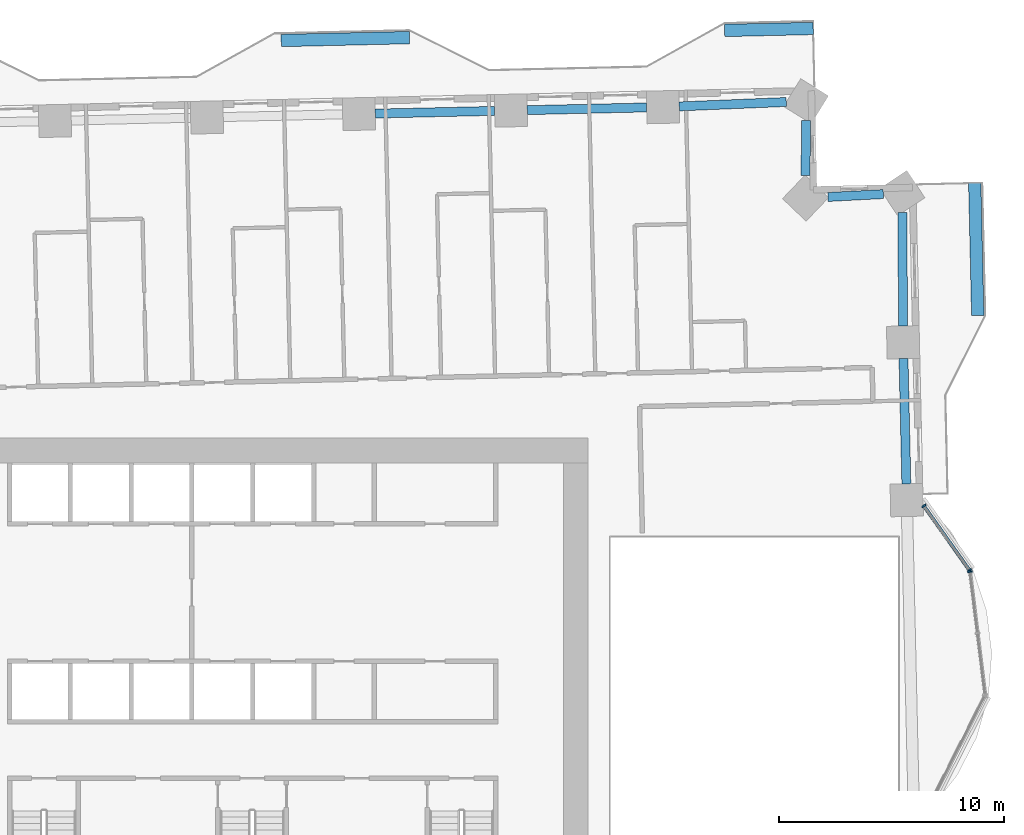
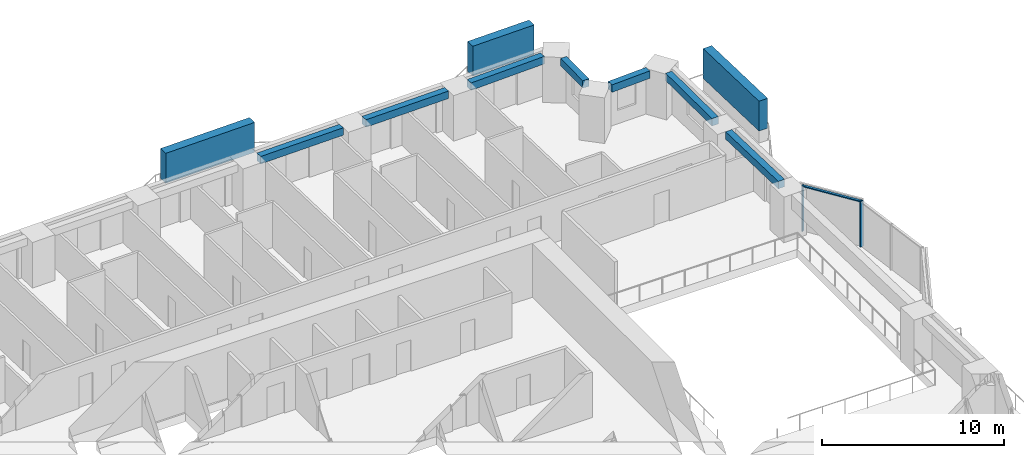
# One storey, part 4 of 17: 7 beams, 7 members, 2 elements without a shape of their own.
"""IFC4 building model written with IfcOpenShell, lengths in metres."""

import ifcopenshell
import ifcopenshell.guid

model = None  # the IFC model being written
_history = None  # IfcOwnerHistory: only IFC2X3 demands one
_inside = {}  # id of a spatial element -> (the spatial element, [elements in it])
_under = {}  # id of a project, library or spatial element -> (it, [spatial elements below it])
_declared = {}  # id of a project -> (the project, [libraries it declares])
_typed = {}  # id of a type object -> (the type object, [elements of that type])
_made_of = {}  # id of a material, layer set ... -> (it, [elements and type objects made of it])


def new_model(schema):
    """Start an empty IFC model of exactly this schema.

    Asked for "IFC4X3", IfcOpenShell would pick the latest addendum, in which some entities
    have other attributes; the version numbers below select the first issue.
    IFC2X3 requires an IfcOwnerHistory on every rooted entity: one is made here for all.
    """
    global model, _history
    if schema == "IFC4X3":
        model = ifcopenshell.file(schema_version=(4, 3, 0, 0))
    else:
        model = ifcopenshell.file(schema=schema)
    _inside.clear()
    _under.clear()
    _declared.clear()
    _typed.clear()
    _made_of.clear()
    _history = None
    if model.schema == "IFC2X3":
        org = make("IfcOrganization", Name="unknown")
        user = make(
            "IfcPersonAndOrganization",
            ThePerson=make("IfcPerson", FamilyName="unknown"),
            TheOrganization=org,
        )
        app = make(
            "IfcApplication",
            ApplicationDeveloper=org,
            Version="unknown",
            ApplicationFullName="unknown",
            ApplicationIdentifier="unknown",
        )
        _history = make(
            "IfcOwnerHistory",
            OwningUser=user,
            OwningApplication=app,
            ChangeAction="ADDED",
            CreationDate=0,
        )
    return model


def make(cls, **values):
    """One entity of the class cls with the attributes given. An attribute that is None is left unset."""
    return model.create_entity(
        cls, **{name: value for name, value in values.items() if value is not None}
    )


def rooted(cls, **values):
    """An entity with a GlobalId (a new one), such as an element, a storey or a relation."""
    return make(cls, GlobalId=ifcopenshell.guid.new(), OwnerHistory=_history, **values)


def si_unit(unit_type, name, prefix=None):
    """IfcSIUnit, for example si_unit("LENGTHUNIT", "METRE", prefix="MILLI")."""
    return make("IfcSIUnit", UnitType=unit_type, Prefix=prefix, Name=name)


def assignment(units):
    """IfcUnitAssignment: the units of a project."""
    return None if units is None else make("IfcUnitAssignment", Units=units)


def point(xyz):
    """IfcCartesianPoint."""
    return None if xyz is None else make("IfcCartesianPoint", Coordinates=xyz)


def direction(xyz):
    """IfcDirection."""
    return None if xyz is None else make("IfcDirection", DirectionRatios=xyz)


def frame(location, z_axis=None, x_axis=None):
    """IfcAxis2Placement3D, a coordinate frame: its origin and axes. An axis left out is left unset."""
    return make(
        "IfcAxis2Placement3D",
        Location=point(location),
        Axis=direction(z_axis),
        RefDirection=direction(x_axis),
    )


def frame_2d(location, x_axis=None):
    """IfcAxis2Placement2D, a coordinate frame in the plane: its origin and x axis."""
    return make(
        "IfcAxis2Placement2D", Location=point(location), RefDirection=direction(x_axis)
    )


def origin():
    """The frame at (0, 0, 0) with its axes left unset."""
    return frame((0.0, 0.0, 0.0))


def origin_2d():
    """The frame at (0, 0) in the plane with its x axis left unset."""
    return frame_2d((0.0, 0.0))


def place(relative_to, where):
    """IfcLocalPlacement: puts the frame where relative to a parent placement (None: the world)."""
    return make(
        "IfcLocalPlacement", PlacementRelTo=relative_to, RelativePlacement=where
    )


def context(
    kind, dimensions, precision=None, world=None, true_north=None, identifier=None
):
    """IfcGeometricRepresentationContext, for example the 3D "Model" context."""
    return make(
        "IfcGeometricRepresentationContext",
        ContextIdentifier=identifier,
        ContextType=kind,
        CoordinateSpaceDimension=dimensions,
        Precision=precision,
        WorldCoordinateSystem=world,
        TrueNorth=true_north,
    )


def subcontext(parent, identifier, kind, view, scale=None):
    """IfcGeometricRepresentationSubContext, for example "Body" below "Model"."""
    return make(
        "IfcGeometricRepresentationSubContext",
        ContextIdentifier=identifier,
        ContextType=kind,
        ParentContext=parent,
        TargetScale=scale,
        TargetView=view,
    )


def project(units=None, contexts=None):
    """IfcProject with its units and contexts."""
    return rooted(
        "IfcProject",
        Name="project",
        RepresentationContexts=contexts,
        UnitsInContext=assignment(units),
    )


def spatial(cls, under=None, at=None, **own):
    """A site, building, storey or space (cls), placed at a placement, below another one or the project."""
    s = rooted(cls, ObjectPlacement=at, **own)
    if under is not None:
        _under.setdefault(under.id(), (under, []))[1].append(s)
    return s


def profile(cls, at=None, kind="AREA", **sizes):
    """A parametric profile (cls). Its sizes go by their IFC names, for example OverallWidth=200.0."""
    return make(cls, ProfileType=kind, Position=at, **sizes)


def rectangle(**sizes):
    """IfcRectangleProfileDef."""
    return profile("IfcRectangleProfileDef", **sizes)


def extrude(swept, where, along, depth):
    """IfcExtrudedAreaSolid: the profile swept, set in the frame where, extruded along a direction by depth."""
    return make(
        "IfcExtrudedAreaSolid",
        SweptArea=swept,
        Position=where,
        ExtrudedDirection=direction(along),
        Depth=depth,
    )


def shape(context_of_items, identifier, shape_type, items):
    """IfcShapeRepresentation: the items that make up one representation, for example the "Body"."""
    return make(
        "IfcShapeRepresentation",
        ContextOfItems=context_of_items,
        RepresentationIdentifier=identifier,
        RepresentationType=shape_type,
        Items=items,
    )


def material(Name=None, Category=None):
    """IfcMaterial."""
    return make("IfcMaterial", Name=Name, Category=Category)


def material_profile(
    of_material, cross_section, Name=None, Category=None, Priority=None
):
    """IfcMaterialProfile: a cross section and its material."""
    return make(
        "IfcMaterialProfile",
        Name=Name,
        Material=of_material,
        Profile=cross_section,
        Priority=Priority,
        Category=Category,
    )


def profile_set(profiles, Name=None, composite=None):
    """IfcMaterialProfileSet."""
    return make(
        "IfcMaterialProfileSet",
        Name=Name,
        MaterialProfiles=profiles,
        CompositeProfile=composite,
    )


def made_of(thing, what):
    """Note that an element or type object is made of a material, layer set ...; save() writes the relation."""
    if what is not None:
        _made_of.setdefault(what.id(), (what, []))[1].append(thing)
    return thing


def type_object(cls, material=None, **own):
    """A type object (cls), such as IfcWallType, which elements share."""
    return made_of(rooted(cls, **own), material)


def element(
    cls,
    number,
    at=None,
    inside=None,
    cuts=None,
    type_object=None,
    material=None,
    context=None,
    identifier="Body",
    shape_type=None,
    held_by="IfcProductDefinitionShape",
    body=None,
    shapes=None,
    **own,
):
    """One element of the class cls, such as IfcWall. Its Tag is "e" and its number.

    at: its placement. inside: the storey or other place that contains it. cuts: it is an
    opening in that element (IfcRelVoidsElement). A single representation is given by context,
    identifier, shape_type and body (its items); several are given by shapes. held_by: the class
    of the entity that holds the representations. save() writes the other relations.
    """
    e = rooted(cls, Tag="e%d" % number, ObjectPlacement=at, **own)
    if body is not None:
        shapes = [shape(context, identifier, shape_type, body)]
    if shapes is not None:
        e.Representation = make(held_by, Representations=shapes)
    if inside is not None:
        _inside.setdefault(inside.id(), (inside, []))[1].append(e)
    if cuts is not None:
        rooted(
            "IfcRelVoidsElement", RelatingBuildingElement=cuts, RelatedOpeningElement=e
        )
    if type_object is not None:
        _typed.setdefault(type_object.id(), (type_object, []))[1].append(e)
    return made_of(e, material)


def aggregate(whole, parts):
    """IfcRelAggregates: a whole, such as a stair, and the parts it consists of."""
    return rooted("IfcRelAggregates", RelatingObject=whole, RelatedObjects=parts)


def save(model, path):
    """Write the relations noted so far, then the file.

    IfcRelAggregates (storeys below a building ...), IfcRelContainedInSpatialStructure (elements
    in a storey), IfcRelDefinesByType, IfcRelAssociatesMaterial and IfcRelDeclares: one each for
    every whole, place, type object, material and project.
    """
    for whole, parts in _under.values():
        aggregate(whole, parts)
    for where, things in _inside.values():
        rooted(
            "IfcRelContainedInSpatialStructure",
            RelatedElements=things,
            RelatingStructure=where,
        )
    for kind, things in _typed.values():
        rooted("IfcRelDefinesByType", RelatedObjects=things, RelatingType=kind)
    for what, things in _made_of.values():
        rooted("IfcRelAssociatesMaterial", RelatedObjects=things, RelatingMaterial=what)
    for by, libraries in _declared.values():
        rooted("IfcRelDeclares", RelatingContext=by, RelatedDefinitions=libraries)
    model.write(path)


model = new_model("IFC4")

# Units and contexts
model_context = context("Model", 3, precision=1e-05, world=origin(), true_north=direction((0.0, 1.0)))
body_context = subcontext(model_context, "Body", "Model", "MODEL_VIEW")
ifc_project = project(units=[si_unit("LENGTHUNIT", "METRE"), si_unit("AREAUNIT", "SQUARE_METRE"), si_unit("VOLUMEUNIT", "CUBIC_METRE"), si_unit("PLANEANGLEUNIT", "RADIAN"), si_unit("MASSUNIT", "GRAM", prefix="KILO")], contexts=[model_context])

# Site, building, storey
site_placement = place(None, origin())
site = spatial("IfcSite", under=ifc_project, at=site_placement, CompositionType="ELEMENT")
building_placement = place(site_placement, origin())
building = spatial("IfcBuilding", under=site, at=building_placement, Name="Mangrove Gate Tower", CompositionType="ELEMENT")
storey_placement = place(building_placement, frame((0.0, 0.0, 86.5)))
storey = spatial("IfcBuildingStorey", under=building, at=storey_placement, Name="L21", CompositionType="ELEMENT", Elevation=86.5)

# Curtain wall, member
ifc_material_1 = material(Name="Aluminium and glass curtain wall", Category="aluminium")
curtain_wall_type = type_object("IfcCurtainWallType", Name="Atrium garden-court glazing wall", PredefinedType="NOTDEFINED", material=ifc_material_1)
curtain_wall_1_placement = place(storey_placement, origin())
curtain_wall_1 = element("IfcCurtainWall", 1, at=curtain_wall_1_placement, inside=storey, type_object=curtain_wall_type, Name="Atrium garden-court glazing E1f2", PredefinedType="NOTDEFINED")
ifc_material_2 = material(Name="Aluminium alloy 6063-T6", Category="aluminium")
ifc_material_profile_1 = material_profile(ifc_material_2, rectangle(XDim=0.070068359375, YDim=0.199951171875, at=origin_2d()))
ifc_profile_set_1 = profile_set([ifc_material_profile_1], Name="Aluminium alloy 6063-T6")
member_type_1 = type_object("IfcMemberType", Name="Atrium garden-court glazing mullion 70x200", PredefinedType="MULLION", material=ifc_profile_set_1)
member_1_placement = place(storey_placement, frame((31.85546875, 5.97509765625, 0.0), z_axis=(0.0, 0.0, 1.0), x_axis=(-0.122172286076, 0.992508908028, 0.0)))
member_1 = element("IfcMember", 2, at=member_1_placement, type_object=member_type_1, Name="CWA mullion 3", PredefinedType="MULLION", context=body_context, shape_type="SweptSolid", body=[
    extrude(rectangle(XDim=0.070068359375, YDim=0.199951171875, at=origin_2d()), origin(), (0.0, 0.0, 1.0), 3.050048828125),
])
aggregate(curtain_wall_1, [member_1])

# Curtain wall, members
curtain_wall_2_placement = place(storey_placement, origin())
curtain_wall_2 = element("IfcCurtainWall", 3, at=curtain_wall_2_placement, inside=storey, type_object=curtain_wall_type, Name="Atrium garden-court glazing E1f3", PredefinedType="NOTDEFINED")
member_2_placement = place(storey_placement, frame((31.8310546875, 6.038330078125, 0.0), z_axis=(0.0, 0.0, 1.0), x_axis=(-0.578109291006, 0.815959341911, 0.0)))
member_2 = element("IfcMember", 4, at=member_2_placement, type_object=member_type_1, Name="CWA mullion 1", PredefinedType="MULLION", context=body_context, shape_type="SweptSolid", body=[
    extrude(rectangle(XDim=0.070068359375, YDim=0.199951171875, at=origin_2d()), origin(), (0.0, 0.0, 1.0), 3.050048828125),
])
member_3_placement = place(storey_placement, frame((29.808837890625, 8.892578125, 0.0), z_axis=(0.0, 0.0, 1.0), x_axis=(-0.578109291006, 0.815959341911, 0.0)))
member_3 = element("IfcMember", 5, at=member_3_placement, type_object=member_type_1, Name="CWA mullion 2", PredefinedType="MULLION", context=body_context, shape_type="SweptSolid", body=[
    extrude(rectangle(XDim=0.070068359375, YDim=0.199951171875, at=origin_2d()), origin(), (0.0, 0.0, 1.0), 3.050048828125),
])
ifc_material_3 = material(Name="Aluminium alloy 6063-T6", Category="aluminium")
ifc_material_profile_2 = material_profile(ifc_material_3, rectangle(XDim=0.070068359375, YDim=0.14990234375, at=origin_2d()))
ifc_profile_set_2 = profile_set([ifc_material_profile_2], Name="Aluminium alloy 6063-T6")
member_type_2 = type_object("IfcMemberType", Name="Atrium garden-court glazing transom 70x150", PredefinedType="USERDEFINED", material=ifc_profile_set_2)
member_4_placement = place(storey_placement, frame((31.810791015625, 6.06689453125, 3.014892578125), z_axis=(-0.578094404228, 0.815969889028, 0.0), x_axis=(0.0, 0.0, 1.0)))
member_4 = element("IfcMember", 6, at=member_4_placement, type_object=member_type_2, Name="CWA transom 1.2", ObjectType="TRANSOM", PredefinedType="USERDEFINED", context=body_context, shape_type="SweptSolid", body=[
    extrude(rectangle(XDim=0.070068359375, YDim=0.14990234375, at=origin_2d()), origin(), (0.0, 0.0, 1.0), 3.427978515625),
])
aggregate(curtain_wall_2, [member_2, member_3, member_4])

# Members
ifc_material_4 = material(Name="Planting on aluminium trellis", Category="aluminium")
ifc_material_profile_3 = material_profile(ifc_material_4, rectangle(XDim=0.550048828125, YDim=2.0, at=origin_2d()))
ifc_profile_set_3 = profile_set([ifc_material_profile_3], Name="Planting on aluminium trellis")
member_type_3 = type_object("IfcMemberType", Name="Balcony greenery screen 550x2000", PredefinedType="USERDEFINED", material=ifc_profile_set_3)
member_5_placement = place(storey_placement, frame((32.202880859375, 17.34912109375, 1.800048828125), z_axis=(-0.02267816309, 0.999742817388, 0.0), x_axis=(-0.999742817388, -0.02267816309, 0.0)))
element("IfcMember", 7, at=member_5_placement, inside=storey, type_object=member_type_3, Name="GREEN SCREEN L21 E1.1", ObjectType="PLANTING", PredefinedType="USERDEFINED", context=body_context, shape_type="SweptSolid", body=[
    extrude(rectangle(XDim=0.550048828125, YDim=2.0, at=origin_2d()), origin(), (0.0, 0.0, 1.0), 5.8994140625),
])
member_6_placement = place(storey_placement, frame((1.26611328125, 29.56494140625, 1.800048828125), z_axis=(0.999743314836, 0.022656223003, 0.0), x_axis=(-0.022656223003, 0.999743314836, 0.0)))
element("IfcMember", 8, at=member_6_placement, inside=storey, type_object=member_type_3, Name="GREEN SCREEN L21 N0.1", ObjectType="PLANTING", PredefinedType="USERDEFINED", context=body_context, shape_type="SweptSolid", body=[
    extrude(rectangle(XDim=0.550048828125, YDim=2.0, at=origin_2d()), origin(), (0.0, 0.0, 1.0), 5.700439453125),
])
member_7_placement = place(storey_placement, frame((20.9609375, 30.011962890625, 1.800048828125), z_axis=(0.999743689479, 0.022639685238, 0.0), x_axis=(-0.022639685238, 0.999743689479, 0.0)))
element("IfcMember", 9, at=member_7_placement, inside=storey, type_object=member_type_3, Name="GREEN SCREEN L21 N0.2", ObjectType="PLANTING", PredefinedType="USERDEFINED", context=body_context, shape_type="SweptSolid", body=[
    extrude(rectangle(XDim=0.550048828125, YDim=2.0, at=origin_2d()), origin(), (0.0, 0.0, 1.0), 3.93603515625),
])

# Beams
ifc_material_5 = material(Name="Concrete C50/60", Category="concrete")
ifc_material_profile_4 = material_profile(ifc_material_5, rectangle(XDim=0.39990234375, YDim=0.5, at=origin_2d()))
ifc_profile_set_4 = profile_set([ifc_material_profile_4], Name="Concrete C50/60")
beam_type = type_object("IfcBeamType", Name="Edge beam RC 400x500 C50/60", PredefinedType="BEAM", material=ifc_profile_set_4)
beam_1_placement = place(storey_placement, frame((29.03173828125, 9.874267578125, 2.800048828125), z_axis=(-0.022689504107, 0.999742560064, 0.0), x_axis=(-0.999742560064, -0.022689504107, 0.0)))
element("IfcBeam", 10, at=beam_1_placement, inside=storey, type_object=beam_type, Name="Edge beam L21 16", PredefinedType="BEAM", context=body_context, shape_type="SweptSolid", body=[
    extrude(rectangle(XDim=0.39990234375, YDim=0.5, at=origin_2d()), origin(), (0.0, 0.0, 1.0), 5.56298828125),
])
beam_2_placement = place(storey_placement, frame((28.884765625, 16.8857421875, 2.800048828125), z_axis=(-0.005913041255, 0.999982517819, 0.0), x_axis=(-0.999982517819, -0.005913041255, 0.0)))
element("IfcBeam", 11, at=beam_2_placement, inside=storey, type_object=beam_type, Name="Edge beam L21 17", PredefinedType="BEAM", context=body_context, shape_type="SweptSolid", body=[
    extrude(rectangle(XDim=0.39990234375, YDim=0.5, at=origin_2d()), origin(), (0.0, 0.0, 1.0), 5.037109375),
])
beam_3_placement = place(storey_placement, frame((28.01025390625, 22.744140625, 2.800048828125), z_axis=(-0.998640458058, -0.052127109352, 0.0), x_axis=(0.052127109352, -0.998640458058, 0.0)))
element("IfcBeam", 12, at=beam_3_placement, inside=storey, type_object=beam_type, Name="Edge beam L21 18", PredefinedType="BEAM", context=body_context, shape_type="SweptSolid", body=[
    extrude(rectangle(XDim=0.39990234375, YDim=0.5, at=origin_2d()), origin(), (0.0, 0.0, 1.0), 2.463623046875),
])
beam_4_placement = place(storey_placement, frame((24.5595703125, 23.5625, 2.800048828125), z_axis=(0.004370674455, 0.999990448557, 0.0), x_axis=(-0.999990448557, 0.004370674455, 0.0)))
element("IfcBeam", 13, at=beam_4_placement, inside=storey, type_object=beam_type, Name="Edge beam L21 19", PredefinedType="BEAM", context=body_context, shape_type="SweptSolid", body=[
    extrude(rectangle(XDim=0.39990234375, YDim=0.5, at=origin_2d()), origin(), (0.0, 0.0, 1.0), 2.457763671875),
])
beam_5_placement = place(storey_placement, frame((23.698974609375, 26.83447265625, 2.800048828125), z_axis=(-0.999148653995, -0.041254905393, 0.0), x_axis=(0.041254905393, -0.999148653995, 0.0)))
element("IfcBeam", 14, at=beam_5_placement, inside=storey, type_object=beam_type, Name="Edge beam L21 20", PredefinedType="BEAM", context=body_context, shape_type="SweptSolid", body=[
    extrude(rectangle(XDim=0.39990234375, YDim=0.5, at=origin_2d()), origin(), (0.0, 0.0, 1.0), 4.758056640625),
])
for number, where, z_axis, x_axis, name in (
    (15, (17.49560546875, 26.591796875, 2.800048828125), (-0.999743401946, -0.022652378823, 0.0), (0.022652378823, -0.999743401946, 0.0), "Edge beam L21 21"),
    (16, (10.74462890625, 26.438720703125, 2.800048828125), (-0.999743401946, -0.022652378823, 0.0), (0.022652378823, -0.999743401946, 0.0), "Edge beam L21 22"),
):
    element("IfcBeam", number, at=place(storey_placement, frame(where, z_axis=z_axis, x_axis=x_axis)), inside=storey, type_object=beam_type, Name=name, PredefinedType="BEAM", context=body_context, shape_type="SweptSolid", body=[
        extrude(rectangle(XDim=0.39990234375, YDim=0.5, at=origin_2d()), origin(), (0.0, 0.0, 1.0), 5.302734375),
    ])

save(model, "model.ifc")
